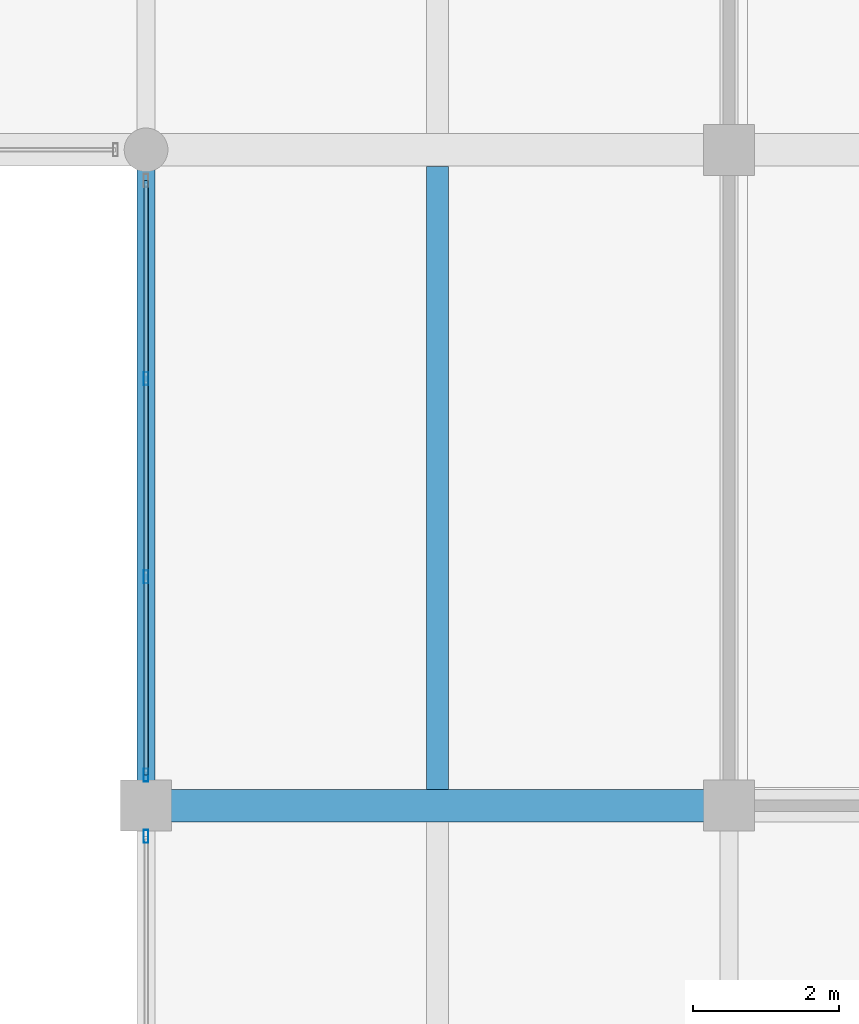
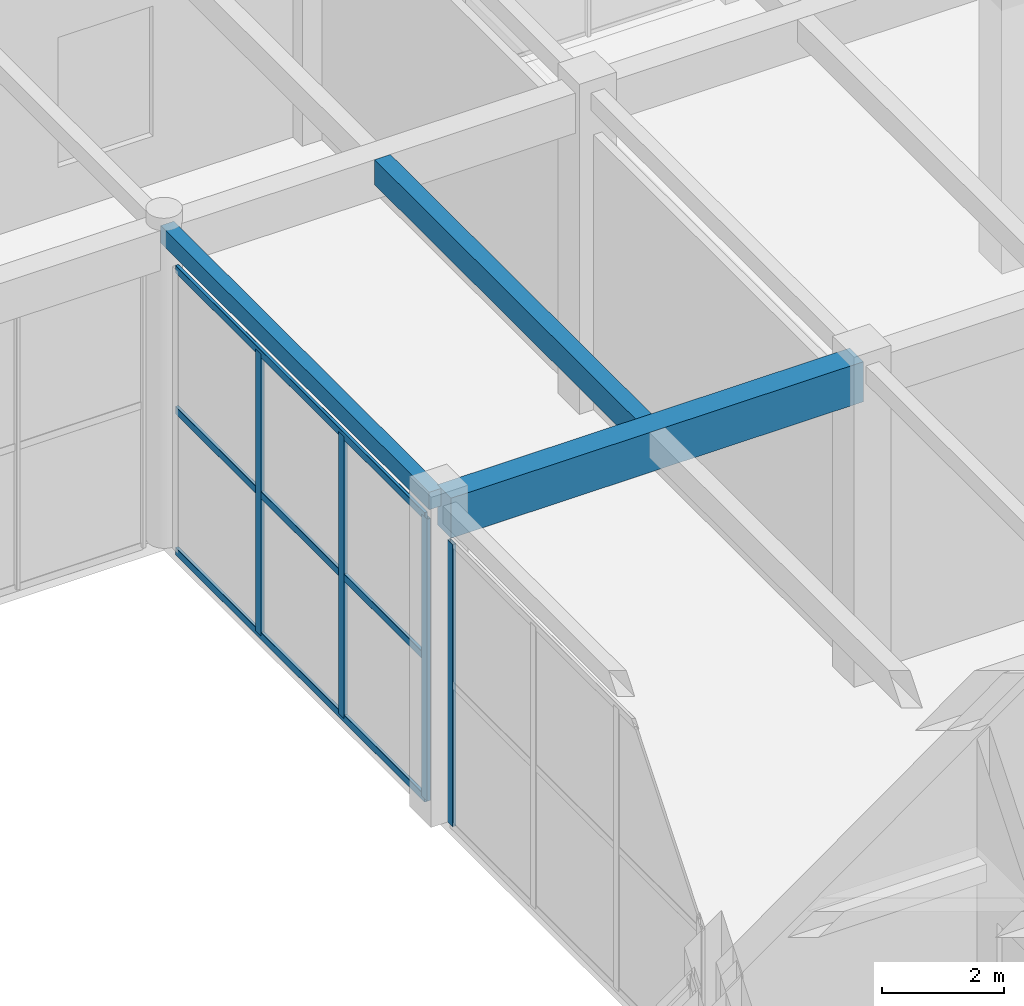
# One storey, part 96 of 163: 7 members, 3 beams, 2 elements without a shape of their own.
"""IFC4 building model written with IfcOpenShell, lengths in metres."""

from ifc_helpers import new_model, si_unit, direction, frame, origin, origin_2d, place, context, subcontext, project, spatial, rectangle, hollow_rectangle, extrude, material, material_profile, profile_set, type_object, element, aggregate, save


model = new_model("IFC4")

# Units and contexts
model_context = context("Model", 3, precision=1e-05, world=origin(), true_north=direction((0.0, 1.0)))
body_context = subcontext(model_context, "Body", "Model", "MODEL_VIEW")
ifc_project = project(units=[si_unit("LENGTHUNIT", "METRE"), si_unit("AREAUNIT", "SQUARE_METRE"), si_unit("VOLUMEUNIT", "CUBIC_METRE"), si_unit("PLANEANGLEUNIT", "RADIAN"), si_unit("MASSUNIT", "GRAM", prefix="KILO")], contexts=[model_context])

# Site, building, storey
site_placement = place(None, origin())
site = spatial("IfcSite", under=ifc_project, at=site_placement, CompositionType="ELEMENT")
building_placement = place(site_placement, origin())
building = spatial("IfcBuilding", under=site, at=building_placement, Name="Varnabhumi Central Station", CompositionType="ELEMENT")
storey_placement = place(building_placement, frame((0.0, 0.0, 9.60009765625)))
storey = spatial("IfcBuildingStorey", under=building, at=storey_placement, Name="L02", CompositionType="ELEMENT", Elevation=9.60009765625)

# Beams
ifc_material_1 = material(Name="Concrete M35", Category="concrete")
ifc_material_profile_1 = material_profile(ifc_material_1, rectangle(XDim=0.25, YDim=0.35009765625, at=origin_2d()), Name="Concrete M35", Category="concrete")
ifc_profile_set_1 = profile_set([ifc_material_profile_1], Name="Concrete M35")
beam_type_1 = type_object("IfcBeamType", Name="BM-RC-250x350", PredefinedType="LINTEL", material=ifc_profile_set_1)
beam_1_placement = place(storey_placement, frame((144.0, 18.10009765625, 6.1748046875), z_axis=(0.0, 1.0, 0.0), x_axis=(-1.0, 0.0, 0.0)))
element("IfcBeam", 1, at=beam_1_placement, inside=storey, type_object=beam_type_1, Name="Beam L02-19:C-D", PredefinedType="LINTEL", context=body_context, shape_type="SweptSolid", body=[
    extrude(rectangle(XDim=0.25, YDim=0.35009765625, at=origin_2d()), origin(), (0.0, 0.0, 1.0), 8.7998046875),
])
ifc_material_2 = material(Name="Concrete M40", Category="concrete")
ifc_material_profile_2 = material_profile(ifc_material_2, rectangle(XDim=0.300048828125, YDim=0.5, at=origin_2d()), Name="Concrete M40", Category="concrete")
ifc_profile_set_2 = profile_set([ifc_material_profile_2], Name="Concrete M40")
beam_type_2 = type_object("IfcBeamType", Name="BM-RC-300x500", PredefinedType="JOIST", material=ifc_profile_set_2)
beam_2_placement = place(storey_placement, frame((148.0, 18.22509765625, 6.099853515625), z_axis=(0.0, 1.0, 0.0), x_axis=(-1.0, 0.0, 0.0)))
element("IfcBeam", 2, at=beam_2_placement, inside=storey, type_object=beam_type_2, Name="Secondary Joist L02-19/20:C-D", PredefinedType="JOIST", context=body_context, shape_type="SweptSolid", body=[
    extrude(rectangle(XDim=0.300048828125, YDim=0.5, at=origin_2d()), origin(), (0.0, 0.0, 1.0), 8.5498046875),
])
ifc_material_profile_3 = material_profile(ifc_material_2, rectangle(XDim=0.449951171875, YDim=0.800048828125, at=origin_2d()), Name="Concrete M40", Category="concrete")
ifc_profile_set_3 = profile_set([ifc_material_profile_3], Name="Concrete M40")
beam_type_3 = type_object("IfcBeamType", Name="BM-RC-450x800", PredefinedType="BEAM", material=ifc_profile_set_3)
beam_3_placement = place(storey_placement, frame((144.10009765625, 18.0, 5.949951171875), z_axis=(1.0, 0.0, 0.0), x_axis=(0.0, 1.0, 0.0)))
element("IfcBeam", 3, at=beam_3_placement, inside=storey, type_object=beam_type_3, Name="Beam L02-C:19-20", PredefinedType="BEAM", context=body_context, shape_type="SweptSolid", body=[
    extrude(rectangle(XDim=0.449951171875, YDim=0.800048828125, at=origin_2d()), origin(), (0.0, 0.0, 1.0), 7.7998046875),
])

# Curtain wall, member
ifc_material_3 = material(Name="Anodised aluminium 6063-T6", Category="aluminium")
curtain_wall_type = type_object("IfcCurtainWallType", Name="CW-PATIO-LOGGIA-L2", PredefinedType="NOTDEFINED", material=ifc_material_3)
curtain_wall_1_placement = place(storey_placement, origin())
curtain_wall_1 = element("IfcCurtainWall", 4, at=curtain_wall_1_placement, inside=storey, type_object=curtain_wall_type, Name="Curtain Wall CW-SP2W1", PredefinedType="NOTDEFINED")
ifc_material_profile_4 = material_profile(ifc_material_3, hollow_rectangle(XDim=0.06494140625, YDim=0.179931640625, WallThickness=0.00390625, InnerFilletRadius=0.001953125, OuterFilletRadius=0.006103515625, at=origin_2d()), Name="Anodised aluminium 6063-T6", Category="aluminium")
ifc_profile_set_4 = profile_set([ifc_material_profile_4], Name="Anodised aluminium 6063-T6")
member_type_1 = type_object("IfcMemberType", Name="CW-MUL-180", PredefinedType="MULLION", material=ifc_profile_set_4)
member_1_placement = place(storey_placement, frame((144.0, 17.580078125, 0.0), z_axis=(0.0, 0.0, 1.0), x_axis=(1.0, 0.0, 0.0)))
member_1 = element("IfcMember", 5, at=member_1_placement, type_object=member_type_1, Name="Curtain Wall Mullion CW-SP2W1-M4", PredefinedType="MULLION", context=body_context, shape_type="SweptSolid", body=[
    extrude(hollow_rectangle(XDim=0.06494140625, YDim=0.179931640625, WallThickness=0.00390625, InnerFilletRadius=0.001953125, OuterFilletRadius=0.006103515625, at=origin_2d()), origin(), (0.0, 0.0, 1.0), 5.639892578125),
])
aggregate(curtain_wall_1, [member_1])

# Curtain wall, members
curtain_wall_2_placement = place(storey_placement, origin())
curtain_wall_2 = element("IfcCurtainWall", 6, at=curtain_wall_2_placement, inside=storey, type_object=curtain_wall_type, Name="Curtain Wall CW-SP2W2", PredefinedType="NOTDEFINED")
member_2_placement = place(storey_placement, frame((144.0, 18.419921875, 0.0), z_axis=(0.0, 0.0, 1.0), x_axis=(1.0, 0.0, 0.0)))
member_2 = element("IfcMember", 7, at=member_2_placement, type_object=member_type_1, Name="Curtain Wall Mullion CW-SP2W2-M1", PredefinedType="MULLION", context=body_context, shape_type="SweptSolid", body=[
    extrude(hollow_rectangle(XDim=0.06494140625, YDim=0.179931640625, WallThickness=0.00390625, InnerFilletRadius=0.001953125, OuterFilletRadius=0.006103515625, at=origin_2d()), origin(), (0.0, 0.0, 1.0), 5.639892578125),
])
member_3_placement = place(storey_placement, frame((144.0, 21.139892578125, 0.0), z_axis=(0.0, 0.0, 1.0), x_axis=(1.0, 0.0, 0.0)))
member_3 = element("IfcMember", 8, at=member_3_placement, type_object=member_type_1, Name="Curtain Wall Mullion CW-SP2W2-M2", PredefinedType="MULLION", context=body_context, shape_type="SweptSolid", body=[
    extrude(hollow_rectangle(XDim=0.06494140625, YDim=0.179931640625, WallThickness=0.00390625, InnerFilletRadius=0.001953125, OuterFilletRadius=0.006103515625, at=origin_2d()), origin(), (0.0, 0.0, 1.0), 5.639892578125),
])
member_4_placement = place(storey_placement, frame((144.0, 23.860107421875, 0.0), z_axis=(0.0, 0.0, 1.0), x_axis=(1.0, 0.0, 0.0)))
member_4 = element("IfcMember", 9, at=member_4_placement, type_object=member_type_1, Name="Curtain Wall Mullion CW-SP2W2-M3", PredefinedType="MULLION", context=body_context, shape_type="SweptSolid", body=[
    extrude(hollow_rectangle(XDim=0.06494140625, YDim=0.179931640625, WallThickness=0.00390625, InnerFilletRadius=0.001953125, OuterFilletRadius=0.006103515625, at=origin_2d()), origin(), (0.0, 0.0, 1.0), 5.639892578125),
])
ifc_material_profile_5 = material_profile(ifc_material_3, hollow_rectangle(XDim=0.06005859375, YDim=0.14990234375, WallThickness=0.00390625, InnerFilletRadius=0.001953125, OuterFilletRadius=0.006103515625, at=origin_2d()), Name="Anodised aluminium 6063-T6", Category="aluminium")
ifc_profile_set_5 = profile_set([ifc_material_profile_5], Name="Anodised aluminium 6063-T6")
member_type_2 = type_object("IfcMemberType", Name="CW-TR-150", PredefinedType="USERDEFINED", material=ifc_profile_set_5)
member_5_placement = place(storey_placement, frame((144.0, 18.419921875, 0.0), z_axis=(0.0, 1.0, 0.0), x_axis=(-1.0, 0.0, 0.0)))
member_5 = element("IfcMember", 10, at=member_5_placement, type_object=member_type_2, Name="Curtain Wall Transom CW-SP2W2-T1", ObjectType="TRANSOM", PredefinedType="USERDEFINED", context=body_context, shape_type="SweptSolid", body=[
    extrude(hollow_rectangle(XDim=0.06005859375, YDim=0.14990234375, WallThickness=0.00390625, InnerFilletRadius=0.001953125, OuterFilletRadius=0.006103515625, at=origin_2d()), origin(), (0.0, 0.0, 1.0), 8.16015625),
])
member_6_placement = place(storey_placement, frame((144.0, 18.419921875, 2.81982421875), z_axis=(0.0, 1.0, 0.0), x_axis=(-1.0, 0.0, 0.0)))
member_6 = element("IfcMember", 11, at=member_6_placement, type_object=member_type_2, Name="Curtain Wall Transom CW-SP2W2-T2", ObjectType="TRANSOM", PredefinedType="USERDEFINED", context=body_context, shape_type="SweptSolid", body=[
    extrude(hollow_rectangle(XDim=0.06005859375, YDim=0.14990234375, WallThickness=0.00390625, InnerFilletRadius=0.001953125, OuterFilletRadius=0.006103515625, at=origin_2d()), origin(), (0.0, 0.0, 1.0), 8.16015625),
])
member_7_placement = place(storey_placement, frame((144.0, 18.419921875, 5.639892578125), z_axis=(0.0, 1.0, 0.0), x_axis=(-1.0, 0.0, 0.0)))
member_7 = element("IfcMember", 12, at=member_7_placement, type_object=member_type_2, Name="Curtain Wall Transom CW-SP2W2-T3", ObjectType="TRANSOM", PredefinedType="USERDEFINED", context=body_context, shape_type="SweptSolid", body=[
    extrude(hollow_rectangle(XDim=0.06005859375, YDim=0.14990234375, WallThickness=0.00390625, InnerFilletRadius=0.001953125, OuterFilletRadius=0.006103515625, at=origin_2d()), origin(), (0.0, 0.0, 1.0), 8.16015625),
])
aggregate(curtain_wall_2, [member_2, member_3, member_4, member_5, member_6, member_7])

save(model, "model.ifc")
